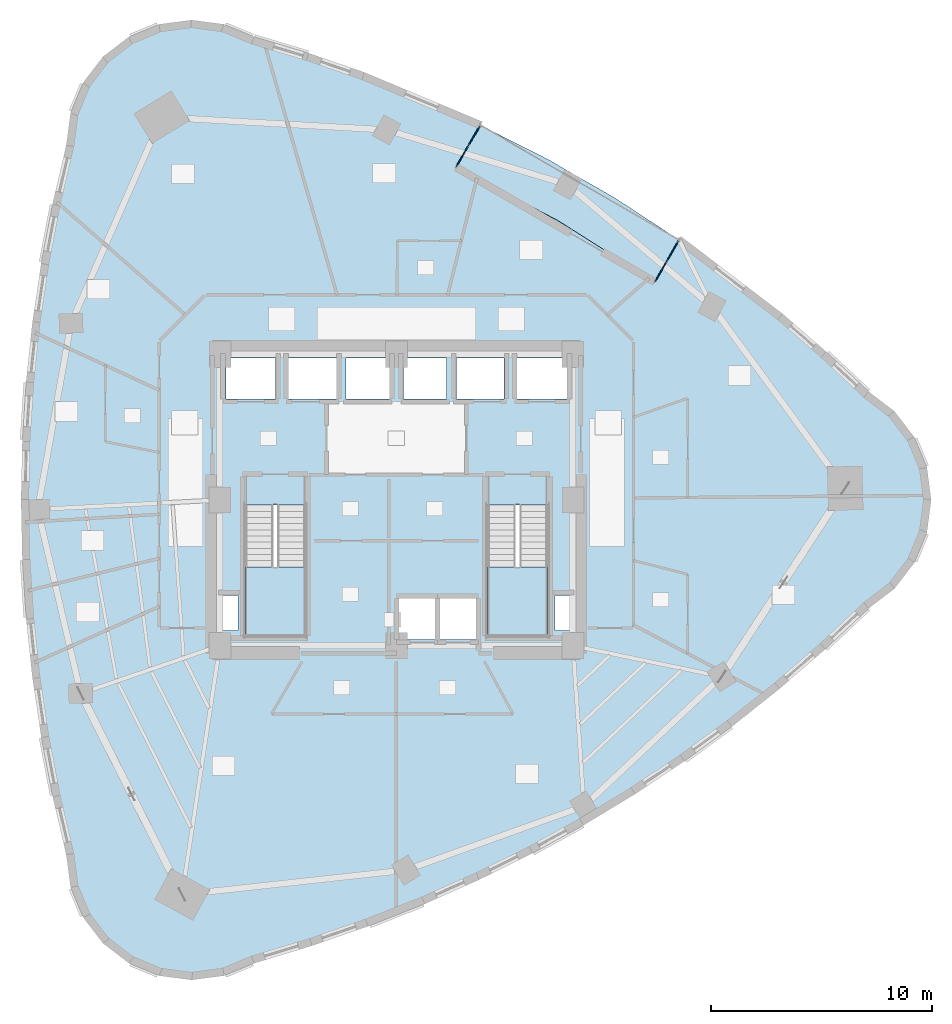
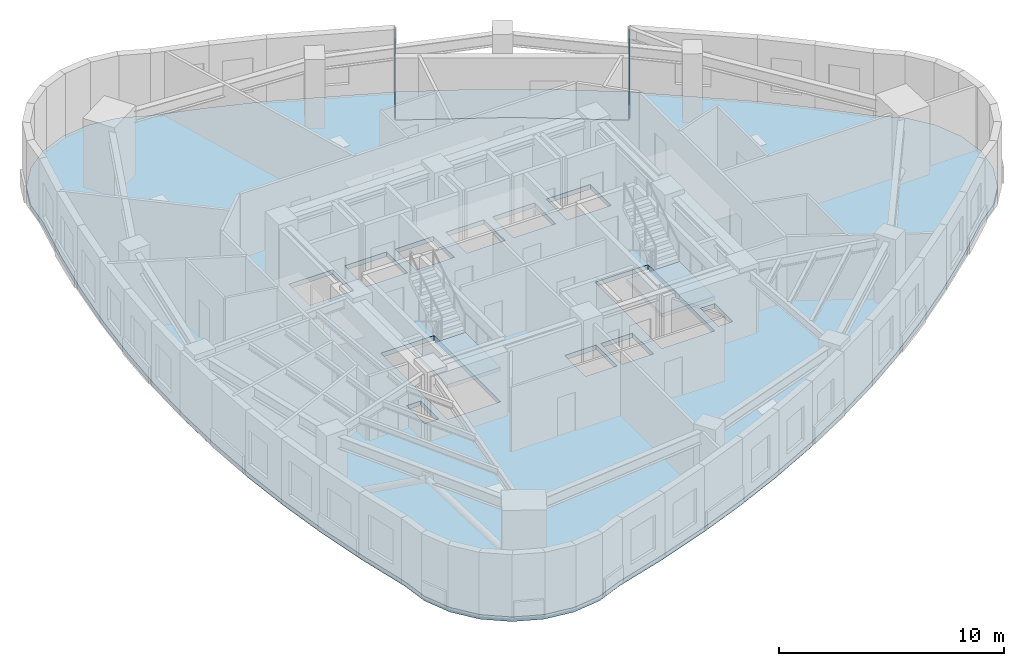
# One storey, part 6 of 14: 12 plates, 4 slabs, 4 elements without a shape of their own.
"""IFC4 building model written with IfcOpenShell, lengths in metres."""

from ifc_helpers import new_model, si_unit, direction, frame, origin, origin_2d, place, context, subcontext, project, spatial, polyline, rectangle, outline, extrude, material, layer, layer_set, type_object, element, aggregate, save


model = new_model("IFC4")

# Units and contexts
model_context = context("Model", 3, precision=1e-05, world=origin(), true_north=direction((0.0, 1.0)))
body_context = subcontext(model_context, "Body", "Model", "MODEL_VIEW")
ifc_project = project(units=[si_unit("LENGTHUNIT", "METRE"), si_unit("AREAUNIT", "SQUARE_METRE"), si_unit("VOLUMEUNIT", "CUBIC_METRE"), si_unit("PLANEANGLEUNIT", "RADIAN"), si_unit("MASSUNIT", "GRAM", prefix="KILO")], contexts=[model_context])

# Site, building, storey
site_placement = place(None, origin())
site = spatial("IfcSite", under=ifc_project, at=site_placement, CompositionType="ELEMENT")
building_placement = place(site_placement, origin())
building = spatial("IfcBuilding", under=site, at=building_placement, Name="Ndelora Gate Hotel", CompositionType="ELEMENT")
storey_placement = place(building_placement, frame((0.0, 0.0, 127.25)))
storey = spatial("IfcBuildingStorey", under=building, at=storey_placement, Name="L31", CompositionType="ELEMENT", Elevation=127.25)

# Curtain wall, plates
ifc_material_1 = material(Name="Bronze Anodised Unitised Aluminium and Low-E Glass", Category="aluminium")
ifc_layer_1 = layer(ifc_material_1, 0.199951171875)
ifc_layer_set_1 = layer_set([ifc_layer_1], Name="Bronze Anodised Unitised Aluminium and Low-E Glass")
curtain_wall_type = type_object("IfcCurtainWallType", Name="CW-SYS-3", PredefinedType="NOTDEFINED", material=ifc_layer_set_1)
curtain_wall_1_placement = place(storey_placement, origin())
curtain_wall_1 = element("IfcCurtainWall", 1, at=curtain_wall_1_placement, inside=storey, type_object=curtain_wall_type, Name="L31 Sky-Garden Loggia Side Curtain Wall CW3-1", PredefinedType="NOTDEFINED")
ifc_material_2 = material(Name="Solar-Control Low-E Insulated Glazing", Category="glass")
ifc_layer_2 = layer(ifc_material_2, 0.048095703125)
ifc_layer_set_2 = layer_set([ifc_layer_2], Name="Solar-Control Low-E Insulated Glazing")
plate_type = type_object("IfcPlateType", Name="PL-CW-GLZ36", PredefinedType="CURTAIN_PANEL", material=ifc_layer_set_2)
plate_1_placement = place(storey_placement, frame((11.994140625, 10.374755859375, 0.05908203125), z_axis=(0.0, 0.0, 1.0), x_axis=(0.500011000366, 0.866019052627, 0.0)))
plate_1 = element("IfcPlate", 2, at=plate_1_placement, type_object=plate_type, Name="CW3 panel 1.1", PredefinedType="CURTAIN_PANEL", context=body_context, shape_type="SweptSolid", body=[
    extrude(rectangle(XDim=1.014404296875, YDim=0.048095703125, at=origin_2d()), origin(), (0.0, 0.0, 1.0), 0.364501953125),
])
plate_2_placement = place(storey_placement, frame((11.994140625, 10.374755859375, 0.4765625), z_axis=(0.0, 0.0, 1.0), x_axis=(0.500011000366, 0.866019052627, 0.0)))
plate_2 = element("IfcPlate", 3, at=plate_2_placement, type_object=plate_type, Name="CW3 panel 1.2", PredefinedType="CURTAIN_PANEL", context=body_context, shape_type="SweptSolid", body=[
    extrude(rectangle(XDim=1.014404296875, YDim=0.048095703125, at=origin_2d()), origin(), (0.0, 0.0, 1.0), 2.447021484375),
])
plate_3_placement = place(storey_placement, frame((11.994140625, 10.374755859375, 2.9765625), z_axis=(0.0, 0.0, 1.0), x_axis=(0.500011000366, 0.866019052627, 0.0)))
plate_3 = element("IfcPlate", 4, at=plate_3_placement, type_object=plate_type, Name="CW3 panel 1.3", PredefinedType="CURTAIN_PANEL", context=body_context, shape_type="SweptSolid", body=[
    extrude(rectangle(XDim=1.014404296875, YDim=0.048095703125, at=origin_2d()), origin(), (0.0, 0.0, 1.0), 0.464599609375),
])
plate_4_placement = place(storey_placement, frame((12.528076171875, 11.299072265625, 0.05908203125), z_axis=(0.0, 0.0, 1.0), x_axis=(0.500011000366, 0.866019052627, 0.0)))
plate_4 = element("IfcPlate", 5, at=plate_4_placement, type_object=plate_type, Name="CW3 panel 2.1", PredefinedType="CURTAIN_PANEL", context=body_context, shape_type="SweptSolid", body=[
    extrude(rectangle(XDim=1.014404296875, YDim=0.048095703125, at=origin_2d()), origin(), (0.0, 0.0, 1.0), 0.364501953125),
])
plate_5_placement = place(storey_placement, frame((12.528076171875, 11.299072265625, 0.4765625), z_axis=(0.0, 0.0, 1.0), x_axis=(0.500011000366, 0.866019052627, 0.0)))
plate_5 = element("IfcPlate", 6, at=plate_5_placement, type_object=plate_type, Name="CW3 panel 2.2", PredefinedType="CURTAIN_PANEL", context=body_context, shape_type="SweptSolid", body=[
    extrude(rectangle(XDim=1.014404296875, YDim=0.048095703125, at=origin_2d()), origin(), (0.0, 0.0, 1.0), 2.447021484375),
])
plate_6_placement = place(storey_placement, frame((12.528076171875, 11.299072265625, 2.9765625), z_axis=(0.0, 0.0, 1.0), x_axis=(0.500011000366, 0.866019052627, 0.0)))
plate_6 = element("IfcPlate", 7, at=plate_6_placement, type_object=plate_type, Name="CW3 panel 2.3", PredefinedType="CURTAIN_PANEL", context=body_context, shape_type="SweptSolid", body=[
    extrude(rectangle(XDim=1.014404296875, YDim=0.048095703125, at=origin_2d()), origin(), (0.0, 0.0, 1.0), 0.464599609375),
])
aggregate(curtain_wall_1, [plate_1, plate_2, plate_3, plate_4, plate_5, plate_6])

curtain_wall_2_placement = place(storey_placement, origin())
curtain_wall_2 = element("IfcCurtainWall", 8, at=curtain_wall_2_placement, inside=storey, type_object=curtain_wall_type, Name="L31 Sky-Garden Loggia Side Curtain Wall CW3-2", PredefinedType="NOTDEFINED")
plate_7_placement = place(storey_placement, frame((3.521484375, 16.4990234375, 0.05908203125), z_axis=(0.0, 0.0, 1.0), x_axis=(-0.500011000366, -0.866019052627, 0.0)))
plate_7 = element("IfcPlate", 9, at=plate_7_placement, type_object=plate_type, Name="CW3 panel 1.1", PredefinedType="CURTAIN_PANEL", context=body_context, shape_type="SweptSolid", body=[
    extrude(rectangle(XDim=1.014404296875, YDim=0.048095703125, at=origin_2d()), origin(), (0.0, 0.0, 1.0), 0.364501953125),
])
plate_8_placement = place(storey_placement, frame((3.521484375, 16.4990234375, 0.4765625), z_axis=(0.0, 0.0, 1.0), x_axis=(-0.500011000366, -0.866019052627, 0.0)))
plate_8 = element("IfcPlate", 10, at=plate_8_placement, type_object=plate_type, Name="CW3 panel 1.2", PredefinedType="CURTAIN_PANEL", context=body_context, shape_type="SweptSolid", body=[
    extrude(rectangle(XDim=1.014404296875, YDim=0.048095703125, at=origin_2d()), origin(), (0.0, 0.0, 1.0), 2.447021484375),
])
plate_9_placement = place(storey_placement, frame((3.521484375, 16.4990234375, 2.9765625), z_axis=(0.0, 0.0, 1.0), x_axis=(-0.500011000366, -0.866019052627, 0.0)))
plate_9 = element("IfcPlate", 11, at=plate_9_placement, type_object=plate_type, Name="CW3 panel 1.3", PredefinedType="CURTAIN_PANEL", context=body_context, shape_type="SweptSolid", body=[
    extrude(rectangle(XDim=1.014404296875, YDim=0.048095703125, at=origin_2d()), origin(), (0.0, 0.0, 1.0), 0.464599609375),
])
plate_10_placement = place(storey_placement, frame((2.987548828125, 15.57470703125, 0.05908203125), z_axis=(0.0, 0.0, 1.0), x_axis=(-0.500011000366, -0.866019052627, 0.0)))
plate_10 = element("IfcPlate", 12, at=plate_10_placement, type_object=plate_type, Name="CW3 panel 2.1", PredefinedType="CURTAIN_PANEL", context=body_context, shape_type="SweptSolid", body=[
    extrude(rectangle(XDim=1.014404296875, YDim=0.048095703125, at=origin_2d()), origin(), (0.0, 0.0, 1.0), 0.364501953125),
])
plate_11_placement = place(storey_placement, frame((2.987548828125, 15.57470703125, 0.4765625), z_axis=(0.0, 0.0, 1.0), x_axis=(-0.500011000366, -0.866019052627, 0.0)))
plate_11 = element("IfcPlate", 13, at=plate_11_placement, type_object=plate_type, Name="CW3 panel 2.2", PredefinedType="CURTAIN_PANEL", context=body_context, shape_type="SweptSolid", body=[
    extrude(rectangle(XDim=1.014404296875, YDim=0.048095703125, at=origin_2d()), origin(), (0.0, 0.0, 1.0), 2.447021484375),
])
plate_12_placement = place(storey_placement, frame((2.987548828125, 15.57470703125, 2.9765625), z_axis=(0.0, 0.0, 1.0), x_axis=(-0.500011000366, -0.866019052627, 0.0)))
plate_12 = element("IfcPlate", 14, at=plate_12_placement, type_object=plate_type, Name="CW3 panel 2.3", PredefinedType="CURTAIN_PANEL", context=body_context, shape_type="SweptSolid", body=[
    extrude(rectangle(XDim=1.014404296875, YDim=0.048095703125, at=origin_2d()), origin(), (0.0, 0.0, 1.0), 0.464599609375),
])
aggregate(curtain_wall_2, [plate_7, plate_8, plate_9, plate_10, plate_11, plate_12])

# Stair, slab
ifc_material_3 = material(Name="Precast concrete C40/50", Category="concrete")
stair_type = type_object("IfcStairType", Name="STR-DOG-CORE", PredefinedType="HALF_TURN_STAIR", material=ifc_material_3)
stair_1_placement = place(storey_placement, origin())
stair_1 = element("IfcStair", 15, at=stair_1_placement, inside=storey, type_object=stair_type, Name="L31 Protected Core Exit Stair ST4", PredefinedType="HALF_TURN_STAIR")
ifc_layer_3 = layer(ifc_material_3, 0.219970703125)
ifc_layer_set_3 = layer_set([ifc_layer_3], Name="Precast concrete C40/50")
slab_type_1 = type_object("IfcSlabType", Name="SL-LAND-220", PredefinedType="LANDING", material=ifc_layer_set_3)
slab_1_placement = place(storey_placement, frame((0.0, 0.0, 1.675048828125)))
slab_1 = element("IfcSlab", 16, at=slab_1_placement, type_object=slab_type_1, Name="ST4 landing 1", PredefinedType="LANDING", context=body_context, shape_type="SweptSolid", body=[
    extrude(outline(polyline([(-6.85009765625, -3.030029296875), (-6.85009765625, -6.14990234375), (-4.1298828125, -6.14990234375), (-4.1298828125, -3.030029296875), (-6.85009765625, -3.030029296875)])), origin(), (0.0, 0.0, 1.0), 0.199951171875),
])
aggregate(stair_1, [slab_1])

stair_2_placement = place(storey_placement, origin())
stair_2 = element("IfcStair", 17, at=stair_2_placement, inside=storey, type_object=stair_type, Name="L31 Protected Core Exit Stair ST5", PredefinedType="HALF_TURN_STAIR")
slab_2_placement = place(storey_placement, frame((0.0, 0.0, 1.675048828125)))
slab_2 = element("IfcSlab", 18, at=slab_2_placement, type_object=slab_type_1, Name="ST5 landing 1", PredefinedType="LANDING", context=body_context, shape_type="SweptSolid", body=[
    extrude(outline(polyline([(4.1298828125, -3.030029296875), (4.1298828125, -6.14990234375), (6.85009765625, -6.14990234375), (6.85009765625, -3.030029296875), (4.1298828125, -3.030029296875)])), origin(), (0.0, 0.0, 1.0), 0.199951171875),
])
aggregate(stair_2, [slab_2])

# Slabs
ifc_layer_4 = layer(ifc_material_3, 0.239990234375)
ifc_layer_set_4 = layer_set([ifc_layer_4], Name="Precast concrete C40/50")
slab_type_2 = type_object("IfcSlabType", Name="SL-TER-240", PredefinedType="FLOOR", material=ifc_layer_set_4)
slab_3_placement = place(storey_placement, frame((0.0, 0.0, -0.239990234375)))
element("IfcSlab", 19, at=slab_3_placement, inside=storey, type_object=slab_type_2, Name="L31 Sky Garden Loggia Terrace Slab", PredefinedType="FLOOR", context=body_context, shape_type="SweptSolid", body=[
    extrude(outline(polyline([(11.711181640625, 9.88427734375), (12.81103515625, 11.78955078125), (9.933837890625, 13.669921875), (6.87158203125, 15.43798828125), (3.804443359375, 16.989501953125), (2.70458984375, 15.084228515625), (7.315185546875, 12.670166015625), (11.711181640625, 9.88427734375)])), origin(), (0.0, 0.0, 1.0), 0.239990234375),
])
ifc_material_4 = material(Name="Concrete C40/50", Category="concrete")
ifc_layer_5 = layer(ifc_material_4, 0.25)
ifc_layer_set_5 = layer_set([ifc_layer_5], Name="Concrete C40/50")
slab_type_3 = type_object("IfcSlabType", Name="SL-TWR-250", PredefinedType="FLOOR", material=ifc_layer_set_5)
slab_4_placement = place(storey_placement, frame((0.0, 0.0, -0.25)))
element("IfcSlab", 20, at=slab_4_placement, inside=storey, type_object=slab_type_3, Name="L31 Structural Floor Slab", PredefinedType="FLOOR", context=body_context, shape_type="SweptSolid", body=[
    extrude(outline(polyline([(-6.5302734375, 20.8369140625), (-7.856689453125, 21.38623046875), (-9.2802734375, 21.57373046875), (-10.70361328125, 21.38623046875), (-12.0302734375, 20.8369140625), (-13.169189453125, 19.962890625), (-14.043212890625, 18.82373046875), (-14.5927734375, 17.497314453125), (-14.7802734375, 16.07373046875), (-15.406494140625, 13.394775390625), (-15.919189453125, 10.7158203125), (-16.317626953125, 8.036865234375), (-16.602294921875, 5.35791015625), (-16.773193359375, 2.678955078125), (-16.830078125, 0.0), (-16.773193359375, -2.678955078125), (-16.602294921875, -5.35791015625), (-16.317626953125, -8.036865234375), (-15.919189453125, -10.7158203125), (-15.406494140625, -13.394775390625), (-14.7802734375, -16.07373046875), (-14.5927734375, -17.497314453125), (-14.043212890625, -18.82373046875), (-13.169189453125, -19.962890625), (-12.0302734375, -20.8369140625), (-10.70361328125, -21.38623046875), (-9.2802734375, -21.57373046875), (-7.856689453125, -21.38623046875), (-6.5302734375, -20.8369140625), (-3.89697265625, -20.039794921875), (-1.320556640625, -19.144287109375), (1.19873046875, -18.14990234375), (3.6611328125, -17.056884765625), (6.066650390625, -15.865478515625), (8.4150390625, -14.575439453125), (10.706787109375, -13.1865234375), (12.94140625, -11.69921875), (15.118896484375, -10.113037109375), (17.23974609375, -8.428466796875), (19.303466796875, -6.64501953125), (21.310302734375, -4.76318359375), (22.449462890625, -3.88916015625), (23.323486328125, -2.75), (23.872802734375, -1.423583984375), (24.060302734375, 0.0), (23.872802734375, 1.423583984375), (23.323486328125, 2.75), (22.449462890625, 3.88916015625), (21.310302734375, 4.76318359375), (19.385009765625, 6.57177734375), (17.406982421875, 8.289306640625), (12.81103515625, 11.78955078125), (11.711181640625, 9.88427734375), (7.315185546875, 12.670166015625), (2.70458984375, 15.084228515625), (3.804443359375, 16.989501953125), (-1.524658203125, 19.219482421875), (-4.001220703125, 20.073486328125), (-6.5302734375, 20.8369140625)]), holes=[polyline([(-6.85009765625, -0.22998046875), (-6.85009765625, -6.14990234375), (-4.1298828125, -6.14990234375), (-4.1298828125, -0.22998046875), (-6.85009765625, -0.22998046875)]), polyline([(4.1298828125, -0.22998046875), (4.1298828125, -6.14990234375), (6.85009765625, -6.14990234375), (6.85009765625, -0.22998046875), (4.1298828125, -0.22998046875)]), polyline([(-7.72998046875, 4.570068359375), (-5.469970703125, 4.570068359375), (-5.469970703125, 6.429931640625), (-7.72998046875, 6.429931640625), (-7.72998046875, 4.570068359375)]), polyline([(5.469970703125, 4.570068359375), (7.72998046875, 4.570068359375), (7.72998046875, 6.429931640625), (5.469970703125, 6.429931640625), (5.469970703125, 4.570068359375)]), polyline([(-4.8798828125, 4.570068359375), (-2.719970703125, 4.570068359375), (-2.719970703125, 6.429931640625), (-4.8798828125, 6.429931640625), (-4.8798828125, 4.570068359375)]), polyline([(2.719970703125, 4.570068359375), (4.8798828125, 4.570068359375), (4.8798828125, 6.429931640625), (2.719970703125, 6.429931640625), (2.719970703125, 4.570068359375)]), polyline([(0.1201171875, -6.330078125), (1.739990234375, -6.330078125), (1.739990234375, -4.469970703125), (0.1201171875, -4.469970703125), (0.1201171875, -6.330078125)]), polyline([(1.97998046875, -6.330078125), (3.60009765625, -6.330078125), (3.60009765625, -4.469970703125), (1.97998046875, -4.469970703125), (1.97998046875, -6.330078125)]), polyline([(-2.280029296875, 4.570068359375), (-0.320068359375, 4.570068359375), (-0.320068359375, 6.429931640625), (-2.280029296875, 6.429931640625), (-2.280029296875, 4.570068359375)]), polyline([(0.320068359375, 4.570068359375), (2.280029296875, 4.570068359375), (2.280029296875, 6.429931640625), (0.320068359375, 6.429931640625), (0.320068359375, 4.570068359375)]), polyline([(-7.89990234375, -5.919921875), (-7.179931640625, -5.919921875), (-7.179931640625, -4.320068359375), (-7.89990234375, -4.320068359375), (-7.89990234375, -5.919921875)]), polyline([(7.179931640625, -5.919921875), (7.89990234375, -5.919921875), (7.89990234375, -4.320068359375), (7.179931640625, -4.320068359375), (7.179931640625, -5.919921875)])]), origin(), (0.0, 0.0, 1.0), 0.25),
])

save(model, "model.ifc")
